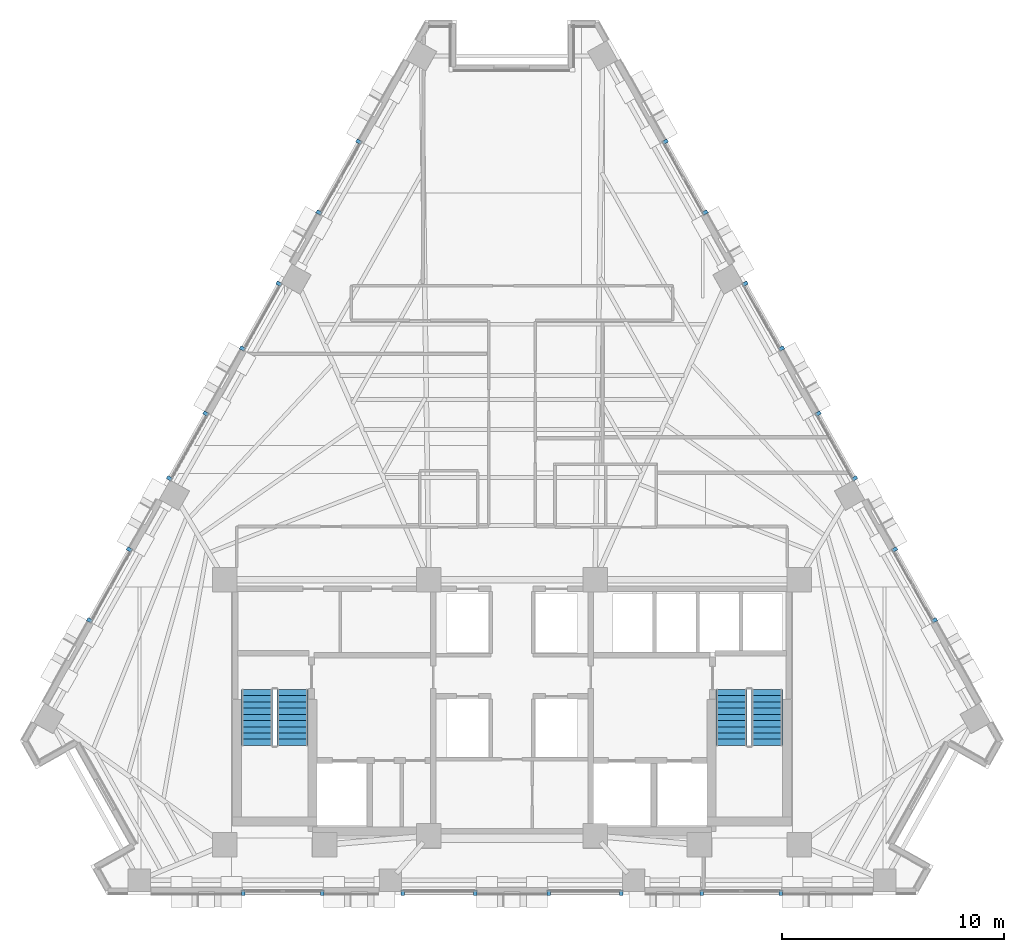
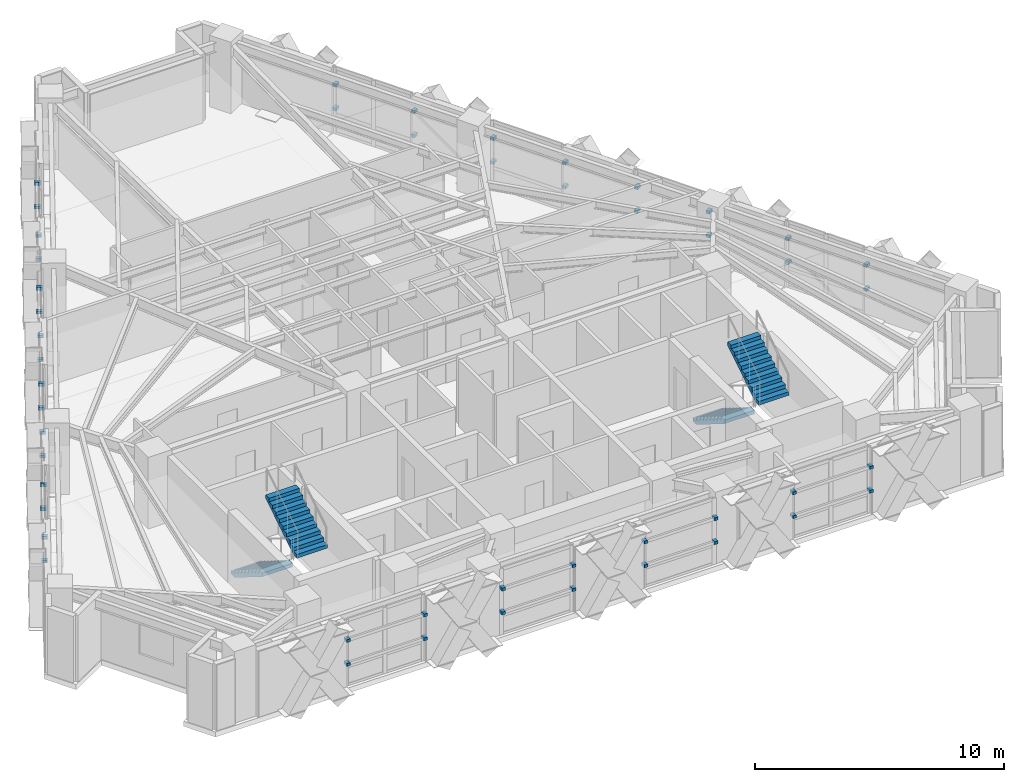
# One storey, part 10 of 14: 48 discrete accessories, 4 stair flights, 2 elements without a shape of their own.
"""IFC4 building model written with IfcOpenShell, lengths in metres."""

from ifc_helpers import new_model, si_unit, direction, frame, origin, origin_2d, place, context, subcontext, project, spatial, polyline, rectangle, outline, extrude, material, layer, layer_set, type_object, element, aggregate, save


model = new_model("IFC4")

# Units and contexts
model_context = context("Model", 3, precision=1e-05, world=origin(), true_north=direction((0.0, 1.0)))
body_context = subcontext(model_context, "Body", "Model", "MODEL_VIEW")
ifc_project = project(units=[si_unit("LENGTHUNIT", "METRE"), si_unit("AREAUNIT", "SQUARE_METRE"), si_unit("VOLUMEUNIT", "CUBIC_METRE"), si_unit("PLANEANGLEUNIT", "RADIAN"), si_unit("MASSUNIT", "GRAM", prefix="KILO")], contexts=[model_context])

# Site, building, storey
site_placement = place(None, origin())
site = spatial("IfcSite", under=ifc_project, at=site_placement, CompositionType="ELEMENT")
building_placement = place(site_placement, origin())
building = spatial("IfcBuilding", under=site, at=building_placement, Name="Quenlor Broadcast Tower", CompositionType="ELEMENT")
storey_placement = place(building_placement, frame((0.0, 0.0, 165.0)))
storey = spatial("IfcBuildingStorey", under=building, at=storey_placement, Name="L45", CompositionType="ELEMENT", Elevation=165.0)

# Stair, stair flights
ifc_material_1 = material(Name="Precast concrete C40/50", Category="concrete")
stair_type = type_object("IfcStairType", Name="Precast Concrete C40/50 Dogleg Stair H350", PredefinedType="HALF_TURN_STAIR", material=ifc_material_1)
stair_1_placement = place(storey_placement, origin())
stair_1 = element("IfcStair", 1, at=stair_1_placement, inside=storey, type_object=stair_type, Name="L45 West Core Fire-Isolated Exit Stair ST-1", PredefinedType="HALF_TURN_STAIR")
ifc_material_2 = material(Name="Precast concrete C40/50", Category="concrete")
ifc_layer = layer(ifc_material_2, 0.159912109375)
ifc_layer_set = layer_set([ifc_layer], Name="Precast Concrete C40/50 Stair Flight H350")
stair_flight_type = type_object("IfcStairFlightType", Name="Precast Concrete C40/50 Stair Flight H350", PredefinedType="STRAIGHT", material=ifc_layer_set)
stair_flight_1_placement = place(storey_placement, frame((-11.5, -9.75, 0.0), z_axis=(0.0, 0.0, 1.0), x_axis=(0.0, -1.0, 0.0)))
stair_flight_1 = element("IfcStairFlight", 2, at=stair_flight_1_placement, type_object=stair_flight_type, Name="ST-1 flight 1", NumberOfRisers=10, NumberOfTreads=9, PredefinedType="STRAIGHT", RiserHeight=0.175, TreadLength=0.28, context=body_context, shape_type="SweptSolid", body=[
    extrude(outline(polyline([(0.0, 0.0), (0.0, 0.175048828125), (0.280029296875, 0.175048828125), (0.280029296875, 0.35009765625), (0.56005859375, 0.35009765625), (0.56005859375, 0.52490234375), (0.840087890625, 0.52490234375), (0.840087890625, 0.699951171875), (1.1201171875, 0.699951171875), (1.1201171875, 0.875), (1.39990234375, 0.875), (1.39990234375, 1.050048828125), (1.679931640625, 1.050048828125), (1.679931640625, 1.22509765625), (1.9599609375, 1.22509765625), (1.9599609375, 1.39990234375), (2.239990234375, 1.39990234375), (2.239990234375, 1.574951171875), (2.52001953125, 1.574951171875), (2.52001953125, 1.75), (2.52001953125, 1.398193359375), (0.28271484375, 0.0), (0.0, 0.0)])), frame((0.0, 0.699951171875, 0.0), z_axis=(0.0, -1.0, 0.0), x_axis=(1.0, 0.0, 0.0)), (0.0, 0.0, 1.0), 1.39990234375),
])
stair_flight_2_placement = place(storey_placement, frame((-9.89990234375, -12.27001953125, 1.75), z_axis=(0.0, 0.0, 1.0), x_axis=(0.0, 1.0, 0.0)))
stair_flight_2 = element("IfcStairFlight", 3, at=stair_flight_2_placement, type_object=stair_flight_type, Name="ST-1 flight 2", NumberOfRisers=10, NumberOfTreads=9, PredefinedType="STRAIGHT", RiserHeight=0.175, TreadLength=0.28, context=body_context, shape_type="SweptSolid", body=[
    extrude(outline(polyline([(0.0, 0.0), (0.0, 0.175048828125), (0.280029296875, 0.175048828125), (0.280029296875, 0.35009765625), (0.56005859375, 0.35009765625), (0.56005859375, 0.52490234375), (0.840087890625, 0.52490234375), (0.840087890625, 0.699951171875), (1.1201171875, 0.699951171875), (1.1201171875, 0.875), (1.39990234375, 0.875), (1.39990234375, 1.050048828125), (1.679931640625, 1.050048828125), (1.679931640625, 1.22509765625), (1.9599609375, 1.22509765625), (1.9599609375, 1.39990234375), (2.239990234375, 1.39990234375), (2.239990234375, 1.574951171875), (2.52001953125, 1.574951171875), (2.52001953125, 1.75), (2.52001953125, 1.398193359375), (0.28271484375, 0.0), (0.0, 0.0)])), frame((0.0, 0.699951171875, 0.0), z_axis=(0.0, -1.0, 0.0), x_axis=(1.0, 0.0, 0.0)), (0.0, 0.0, 1.0), 1.39990234375),
])
aggregate(stair_1, [stair_flight_1, stair_flight_2])

stair_2_placement = place(storey_placement, origin())
stair_2 = element("IfcStair", 4, at=stair_2_placement, inside=storey, type_object=stair_type, Name="L45 East Core Fire-Isolated Exit Stair ST-2", PredefinedType="HALF_TURN_STAIR")
stair_flight_3_placement = place(storey_placement, frame((9.89990234375, -9.75, 0.0), z_axis=(0.0, 0.0, 1.0), x_axis=(0.0, -1.0, 0.0)))
stair_flight_3 = element("IfcStairFlight", 5, at=stair_flight_3_placement, type_object=stair_flight_type, Name="ST-2 flight 1", NumberOfRisers=10, NumberOfTreads=9, PredefinedType="STRAIGHT", RiserHeight=0.175, TreadLength=0.28, context=body_context, shape_type="SweptSolid", body=[
    extrude(outline(polyline([(0.0, 0.0), (0.0, 0.175048828125), (0.280029296875, 0.175048828125), (0.280029296875, 0.35009765625), (0.56005859375, 0.35009765625), (0.56005859375, 0.52490234375), (0.840087890625, 0.52490234375), (0.840087890625, 0.699951171875), (1.1201171875, 0.699951171875), (1.1201171875, 0.875), (1.39990234375, 0.875), (1.39990234375, 1.050048828125), (1.679931640625, 1.050048828125), (1.679931640625, 1.22509765625), (1.9599609375, 1.22509765625), (1.9599609375, 1.39990234375), (2.239990234375, 1.39990234375), (2.239990234375, 1.574951171875), (2.52001953125, 1.574951171875), (2.52001953125, 1.75), (2.52001953125, 1.398193359375), (0.28271484375, 0.0), (0.0, 0.0)])), frame((0.0, 0.699951171875, 0.0), z_axis=(0.0, -1.0, 0.0), x_axis=(1.0, 0.0, 0.0)), (0.0, 0.0, 1.0), 1.39990234375),
])
stair_flight_4_placement = place(storey_placement, frame((11.5, -12.27001953125, 1.75), z_axis=(0.0, 0.0, 1.0), x_axis=(0.0, 1.0, 0.0)))
stair_flight_4 = element("IfcStairFlight", 6, at=stair_flight_4_placement, type_object=stair_flight_type, Name="ST-2 flight 2", NumberOfRisers=10, NumberOfTreads=9, PredefinedType="STRAIGHT", RiserHeight=0.175, TreadLength=0.28, context=body_context, shape_type="SweptSolid", body=[
    extrude(outline(polyline([(0.0, 0.0), (0.0, 0.175048828125), (0.280029296875, 0.175048828125), (0.280029296875, 0.35009765625), (0.56005859375, 0.35009765625), (0.56005859375, 0.52490234375), (0.840087890625, 0.52490234375), (0.840087890625, 0.699951171875), (1.1201171875, 0.699951171875), (1.1201171875, 0.875), (1.39990234375, 0.875), (1.39990234375, 1.050048828125), (1.679931640625, 1.050048828125), (1.679931640625, 1.22509765625), (1.9599609375, 1.22509765625), (1.9599609375, 1.39990234375), (2.239990234375, 1.39990234375), (2.239990234375, 1.574951171875), (2.52001953125, 1.574951171875), (2.52001953125, 1.75), (2.52001953125, 1.398193359375), (0.28271484375, 0.0), (0.0, 0.0)])), frame((0.0, 0.699951171875, 0.0), z_axis=(0.0, -1.0, 0.0), x_axis=(1.0, 0.0, 0.0)), (0.0, 0.0, 1.0), 1.39990234375),
])
aggregate(stair_2, [stair_flight_3, stair_flight_4])

# Discrete accessories
ifc_material_3 = material(Name="Aluminium 6063-T6", Category="aluminium")
discrete_accessory_type = type_object("IfcDiscreteAccessoryType", Name="Stainless Mullion Baguette Support Bracket", PredefinedType="BRACKET", material=ifc_material_3)
for number, where, z_axis, x_axis, name in (
    (7, (12.114013671875, -18.919921875, 1.10009765625), (0.0, 0.0, 1.0), (-1.0, 0.0, 0.0), "L45 Baguette Mullion Bracket 1.1"),
    (8, (8.550048828125, -18.919921875, 1.10009765625), (0.0, 0.0, 1.0), (-1.0, 0.0, 0.0), "L45 Baguette Mullion Bracket 1.2"),
    (9, (12.114013671875, -18.919921875, 2.27001953125), (0.0, 0.0, 1.0), (-1.0, 0.0, 0.0), "L45 Baguette Mullion Bracket 2.1"),
    (10, (8.550048828125, -18.919921875, 2.27001953125), (0.0, 0.0, 1.0), (-1.0, 0.0, 0.0), "L45 Baguette Mullion Bracket 2.2"),
    (11, (-8.550048828125, -18.919921875, 1.10009765625), (0.0, 0.0, 1.0), (-1.0, 0.0, 0.0), "L45 Baguette Mullion Bracket 1.1"),
    (12, (-12.114013671875, -18.919921875, 1.10009765625), (0.0, 0.0, 1.0), (-1.0, 0.0, 0.0), "L45 Baguette Mullion Bracket 1.2"),
    (13, (-8.550048828125, -18.919921875, 2.27001953125), (0.0, 0.0, 1.0), (-1.0, 0.0, 0.0), "L45 Baguette Mullion Bracket 2.1"),
    (14, (-12.114013671875, -18.919921875, 2.27001953125), (0.0, 0.0, 1.0), (-1.0, 0.0, 0.0), "L45 Baguette Mullion Bracket 2.2"),
    (15, (4.926025390625, -18.919921875, 1.10009765625), (0.0, 0.0, 1.0), (-1.0, 0.0, 0.0), "L45 Baguette Mullion Bracket 1.1"),
    (16, (1.662109375, -18.919921875, 1.10009765625), (0.0, 0.0, 1.0), (-1.0, 0.0, 0.0), "L45 Baguette Mullion Bracket 1.2"),
    (17, (4.926025390625, -18.919921875, 2.27001953125), (0.0, 0.0, 1.0), (-1.0, 0.0, 0.0), "L45 Baguette Mullion Bracket 2.1"),
    (18, (1.662109375, -18.919921875, 2.27001953125), (0.0, 0.0, 1.0), (-1.0, 0.0, 0.0), "L45 Baguette Mullion Bracket 2.2"),
    (19, (-1.662109375, -18.919921875, 1.10009765625), (0.0, 0.0, 1.0), (-1.0, 0.0, 0.0), "L45 Baguette Mullion Bracket 1.1"),
    (20, (-4.926025390625, -18.919921875, 1.10009765625), (0.0, 0.0, 1.0), (-1.0, 0.0, 0.0), "L45 Baguette Mullion Bracket 1.2"),
    (21, (-1.662109375, -18.919921875, 2.27001953125), (0.0, 0.0, 1.0), (-1.0, 0.0, 0.0), "L45 Baguette Mullion Bracket 2.1"),
    (22, (-4.926025390625, -18.919921875, 2.27001953125), (0.0, 0.0, 1.0), (-1.0, 0.0, 0.0), "L45 Baguette Mullion Bracket 2.2"),
    (23, (6.909912109375, 14.952392578125, 1.10009765625), (0.0, 0.0, 1.0), (0.490269552242, -0.871570861229, 0.0), "L45 Baguette Mullion Bracket 1.1"),
    (24, (8.706298828125, 11.7587890625, 1.10009765625), (0.0, 0.0, 1.0), (0.490269552242, -0.871570861229, 0.0), "L45 Baguette Mullion Bracket 1.2"),
    (25, (6.909912109375, 14.952392578125, 2.27001953125), (0.0, 0.0, 1.0), (0.490269552242, -0.871570861229, 0.0), "L45 Baguette Mullion Bracket 2.1"),
    (26, (8.706298828125, 11.7587890625, 2.27001953125), (0.0, 0.0, 1.0), (0.490269552242, -0.871570861229, 0.0), "L45 Baguette Mullion Bracket 2.2"),
    (27, (17.25439453125, -3.437255859375, 1.10009765625), (0.0, 0.0, 1.0), (0.490258903959, -0.871576850937, 0.0), "L45 Baguette Mullion Bracket 1.1"),
    (28, (19.050537109375, -6.630859375, 1.10009765625), (0.0, 0.0, 1.0), (0.490258903959, -0.871576850937, 0.0), "L45 Baguette Mullion Bracket 1.2"),
    (29, (17.25439453125, -3.437255859375, 2.27001953125), (0.0, 0.0, 1.0), (0.490258903959, -0.871576850937, 0.0), "L45 Baguette Mullion Bracket 2.1"),
    (30, (19.050537109375, -6.630859375, 2.27001953125), (0.0, 0.0, 1.0), (0.490258903959, -0.871576850937, 0.0), "L45 Baguette Mullion Bracket 2.2"),
    (31, (10.511962890625, 8.549072265625, 1.10009765625), (0.0, 0.0, 1.0), (0.490255861579, -0.871578562258, 0.0), "L45 Baguette Mullion Bracket 1.1"),
    (32, (12.154296875, 5.62890625, 1.10009765625), (0.0, 0.0, 1.0), (0.490255861579, -0.871578562258, 0.0), "L45 Baguette Mullion Bracket 1.2"),
    (33, (10.511962890625, 8.549072265625, 2.27001953125), (0.0, 0.0, 1.0), (0.490255861579, -0.871578562258, 0.0), "L45 Baguette Mullion Bracket 2.1"),
    (34, (12.154296875, 5.62890625, 2.27001953125), (0.0, 0.0, 1.0), (0.490255861579, -0.871578562258, 0.0), "L45 Baguette Mullion Bracket 2.2"),
    (35, (13.80615234375, 2.692626953125, 1.10009765625), (0.0, 0.0, 1.0), (0.490268031063, -0.87157171691, 0.0), "L45 Baguette Mullion Bracket 1.1"),
    (36, (15.44873046875, -0.2275390625, 1.10009765625), (0.0, 0.0, 1.0), (0.490268031063, -0.87157171691, 0.0), "L45 Baguette Mullion Bracket 1.2"),
    (37, (13.80615234375, 2.692626953125, 2.27001953125), (0.0, 0.0, 1.0), (0.490268031063, -0.87157171691, 0.0), "L45 Baguette Mullion Bracket 2.1"),
    (38, (15.44873046875, -0.2275390625, 2.27001953125), (0.0, 0.0, 1.0), (0.490268031063, -0.87157171691, 0.0), "L45 Baguette Mullion Bracket 2.2"),
    (39, (-19.050537109375, -6.630859375, 1.10009765625), (0.0, 0.0, 1.0), (0.490258903959, 0.871576850937, 0.0), "L45 Baguette Mullion Bracket 1.1"),
    (40, (-17.25439453125, -3.437255859375, 1.10009765625), (0.0, 0.0, 1.0), (0.490258903959, 0.871576850937, 0.0), "L45 Baguette Mullion Bracket 1.2"),
    (41, (-19.050537109375, -6.630859375, 2.27001953125), (0.0, 0.0, 1.0), (0.490258903959, 0.871576850937, 0.0), "L45 Baguette Mullion Bracket 2.1"),
    (42, (-17.25439453125, -3.437255859375, 2.27001953125), (0.0, 0.0, 1.0), (0.490258903959, 0.871576850937, 0.0), "L45 Baguette Mullion Bracket 2.2"),
    (43, (-8.706298828125, 11.7587890625, 1.10009765625), (0.0, 0.0, 1.0), (0.490269552242, 0.871570861229, 0.0), "L45 Baguette Mullion Bracket 1.1"),
    (44, (-6.909912109375, 14.952392578125, 1.10009765625), (0.0, 0.0, 1.0), (0.490269552242, 0.871570861229, 0.0), "L45 Baguette Mullion Bracket 1.2"),
    (45, (-8.706298828125, 11.7587890625, 2.27001953125), (0.0, 0.0, 1.0), (0.490269552242, 0.871570861229, 0.0), "L45 Baguette Mullion Bracket 2.1"),
    (46, (-6.909912109375, 14.952392578125, 2.27001953125), (0.0, 0.0, 1.0), (0.490269552242, 0.871570861229, 0.0), "L45 Baguette Mullion Bracket 2.2"),
    (47, (-15.44873046875, -0.2275390625, 1.10009765625), (0.0, 0.0, 1.0), (0.490268031063, 0.87157171691, 0.0), "L45 Baguette Mullion Bracket 1.1"),
    (48, (-13.80615234375, 2.692626953125, 1.10009765625), (0.0, 0.0, 1.0), (0.490268031063, 0.87157171691, 0.0), "L45 Baguette Mullion Bracket 1.2"),
    (49, (-15.44873046875, -0.2275390625, 2.27001953125), (0.0, 0.0, 1.0), (0.490268031063, 0.87157171691, 0.0), "L45 Baguette Mullion Bracket 2.1"),
    (50, (-13.80615234375, 2.692626953125, 2.27001953125), (0.0, 0.0, 1.0), (0.490268031063, 0.87157171691, 0.0), "L45 Baguette Mullion Bracket 2.2"),
    (51, (-12.154296875, 5.62890625, 1.10009765625), (0.0, 0.0, 1.0), (0.490255861579, 0.871578562258, 0.0), "L45 Baguette Mullion Bracket 1.1"),
    (52, (-10.511962890625, 8.549072265625, 1.10009765625), (0.0, 0.0, 1.0), (0.490255861579, 0.871578562258, 0.0), "L45 Baguette Mullion Bracket 1.2"),
    (53, (-12.154296875, 5.62890625, 2.27001953125), (0.0, 0.0, 1.0), (0.490255861579, 0.871578562258, 0.0), "L45 Baguette Mullion Bracket 2.1"),
    (54, (-10.511962890625, 8.549072265625, 2.27001953125), (0.0, 0.0, 1.0), (0.490255861579, 0.871578562258, 0.0), "L45 Baguette Mullion Bracket 2.2"),
):
    element("IfcDiscreteAccessory", number, at=place(storey_placement, frame(where, z_axis=z_axis, x_axis=x_axis)), inside=storey, type_object=discrete_accessory_type, Name=name, PredefinedType="BRACKET", context=body_context, shape_type="SweptSolid", body=[
        extrude(rectangle(XDim=0.159912109375, YDim=0.239990234375, at=origin_2d()), origin(), (0.0, 0.0, 1.0), 0.139892578125),
    ])

save(model, "model.ifc")
